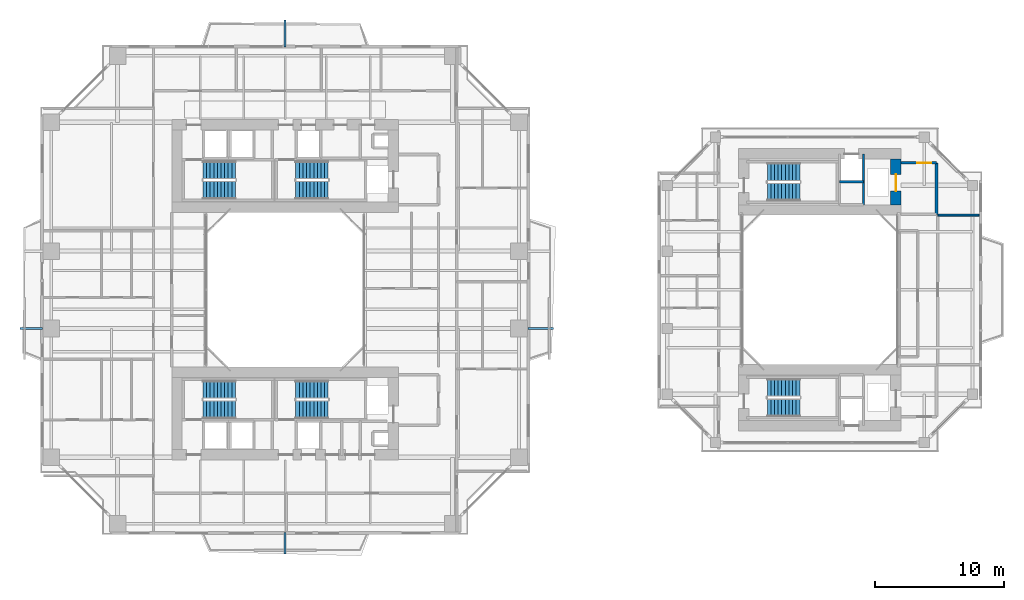
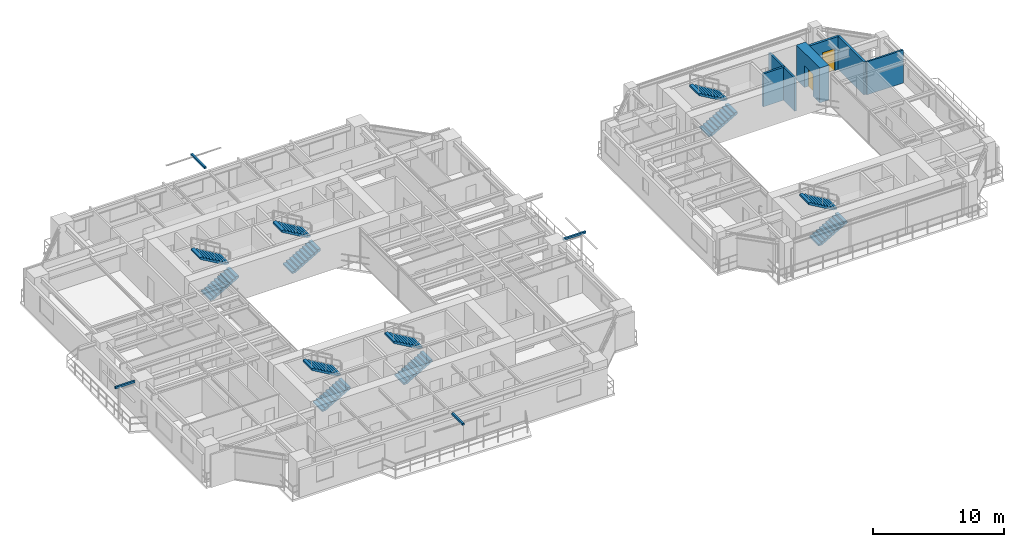
# One storey, part 18 of 23: 12 stair flights, 6 walls, 4 discrete accessories, 2 doors, 2 openings, 6 elements without a shape of their own.
"""IFC4 building model written with IfcOpenShell, lengths in metres."""

from ifc_helpers import new_model, si_unit, direction, frame, frame_2d, origin, origin_2d, place, context, subcontext, project, spatial, polyline, rectangle, outline, extrude, source, transform, mapped, material, layer, layer_set, type_object, element, fill, aggregate, save


model = new_model("IFC4")

# Units and contexts
model_context = context("Model", 3, precision=1e-05, world=origin(), true_north=direction((0.0, 1.0)))
body_context = subcontext(model_context, "Body", "Model", "MODEL_VIEW")
ifc_project = project(units=[si_unit("LENGTHUNIT", "METRE"), si_unit("AREAUNIT", "SQUARE_METRE"), si_unit("VOLUMEUNIT", "CUBIC_METRE"), si_unit("PLANEANGLEUNIT", "RADIAN"), si_unit("MASSUNIT", "GRAM", prefix="KILO"), si_unit("THERMODYNAMICTEMPERATUREUNIT", "KELVIN"), si_unit("POWERUNIT", "WATT")], contexts=[model_context])

# Site, building, storey
site_placement = place(None, origin())
site = spatial("IfcSite", under=ifc_project, at=site_placement, CompositionType="ELEMENT")
building_placement = place(site_placement, origin())
building = spatial("IfcBuilding", under=site, at=building_placement, Name="Qiaomeng Ring Towers", CompositionType="ELEMENT")
storey_placement = place(building_placement, frame((0.0, 0.0, 76.25)))
storey = spatial("IfcBuildingStorey", under=building, at=storey_placement, Name="L21", CompositionType="ELEMENT", Elevation=76.25)

# Wall
ifc_material_1 = material(Name="Autoclaved aerated concrete block", Category="concrete")
ifc_layer_1 = layer(ifc_material_1, 0.199951171875, Name="Autoclaved aerated concrete block")
ifc_layer_set_1 = layer_set([ifc_layer_1], Name="Autoclaved aerated concrete block")
wall_type_1 = type_object("IfcWallType", Name="ARC-WL-PW1", PredefinedType="PARTITIONING", material=ifc_layer_set_1)
wall_1_placement = place(storey_placement, frame((69.550048828125, 28.85009765625, 0.0), z_axis=(0.0, 0.0, 1.0), x_axis=(0.0, 1.0, 0.0)))
element("IfcWall", 1, at=wall_1_placement, inside=storey, type_object=wall_type_1, Name="L21 Interior Wall PW1", PredefinedType="PARTITIONING", context=body_context, shape_type="SweptSolid", body=[
    extrude(rectangle(XDim=4.0, YDim=0.199951171875, at=frame_2d((2.0, 0.0))), origin(), (0.0, 0.0, 1.0), 3.070068359375),
])

# Wall, opening, door
wall_2_placement = place(storey_placement, frame((66.800048828125, 32.85009765625, 0.0), z_axis=(0.0, 0.0, 1.0), x_axis=(1.0, 0.0, 0.0)))
wall_2 = element("IfcWall", 2, at=wall_2_placement, inside=storey, type_object=wall_type_1, Name="L21 Interior Wall PW1", PredefinedType="PARTITIONING", context=body_context, shape_type="SweptSolid", body=[
    extrude(rectangle(XDim=2.75, YDim=0.199951171875, at=frame_2d((1.375, 0.0))), origin(), (0.0, 0.0, 1.0), 3.070068359375),
])
opening_1_placement = place(wall_2_placement, frame((1.25, 0.0, 0.0)))
opening_1 = element("IfcOpeningElement", 3, at=opening_1_placement, cuts=wall_2, Name="Opening FD3", PredefinedType="OPENING", context=body_context, shape_type="SweptSolid", body=[
    extrude(rectangle(XDim=1.10009765625, YDim=2.050048828125, at=frame_2d((0.550048828125, 1.02490234375))), frame((0.0, 0.10986328125, 0.0), z_axis=(0.0, -1.0, 0.0), x_axis=(1.0, 0.0, 0.0)), (0.0, 0.0, 1.0), 0.219970703125),
])
ifc_material_2 = material(Name="Galvanised steel", Category="steel")
door_type_1 = type_object("IfcDoorType", Name="ARC-DR-FD3", OperationType="NOTDEFINED", PredefinedType="DOOR", material=ifc_material_2)
shared_shape_1 = source(origin(), body_context, "Body", "SweptSolid", [
    extrude(rectangle(XDim=1.10009765625, YDim=2.050048828125, at=frame_2d((0.550048828125, 1.02490234375))), frame((0.0, 0.02490234375, 0.0), z_axis=(0.0, -1.0, 0.0), x_axis=(1.0, 0.0, 0.0)), (0.0, 0.0, 1.0), 0.050048828125),
])
door_1_placement = place(opening_1_placement, origin())
door_1 = element("IfcDoor", 4, at=door_1_placement, inside=storey, type_object=door_type_1, Name="L21 Door FD3", OperationType="SINGLE_SWING_RIGHT", OverallHeight=2.050048828125, OverallWidth=1.10009765625, PredefinedType="DOOR", context=body_context, shape_type="MappedRepresentation", body=[
    mapped(shared_shape_1, transform((0.0, 0.0, 0.0), x_axis=(1.0, 0.0, 0.0), y_axis=(0.0, 1.0, 0.0), z_axis=(0.0, 0.0, 1.0), scale=1.0)),
])
fill(opening_1, door_1)

# Walls
ifc_material_3 = material(Name="Gypsum fireboard steel-stud partition", Category="steel")
ifc_layer_2 = layer(ifc_material_3, 0.14990234375, Name="Gypsum fireboard steel-stud partition")
ifc_layer_set_2 = layer_set([ifc_layer_2], Name="Gypsum fireboard steel-stud partition")
wall_type_2 = type_object("IfcWallType", Name="ARC-WL-PW3", PredefinedType="PARTITIONING", material=ifc_layer_set_2)
wall_3_placement = place(storey_placement, frame((69.64990234375, 28.800048828125, 0.0), z_axis=(0.0, 0.0, 1.0), x_axis=(1.0, 0.0, 0.0)))
element("IfcWall", 5, at=wall_3_placement, inside=storey, type_object=wall_type_2, Name="L21 Interior Wall PW3", PredefinedType="PARTITIONING", context=body_context, shape_type="SweptSolid", body=[
    extrude(rectangle(XDim=3.2001953125, YDim=0.14990234375, at=frame_2d((1.60009765625, 0.0))), origin(), (0.0, 0.0, 1.0), 3.070068359375),
])
ifc_material_4 = material(Name="Concrete C40", Category="concrete")
ifc_layer_3 = layer(ifc_material_4, 0.199951171875, Name="Concrete C40")
ifc_layer_set_3 = layer_set([ifc_layer_3], Name="Concrete C40")
wall_type_3 = type_object("IfcWallType", Name="STR-WL-STSHAFT", PredefinedType="SHEAR", material=ifc_layer_set_3)
wall_4_placement = place(storey_placement, frame((63.8798828125, 29.60009765625, 0.0), z_axis=(0.0, 0.0, 1.0), x_axis=(0.0, 1.0, 0.0)))
element("IfcWall", 6, at=wall_4_placement, inside=storey, type_object=wall_type_3, Name="L21 Companion Lift Shaft East Wall N", PredefinedType="SHEAR", context=body_context, shape_type="SweptSolid", body=[
    extrude(rectangle(XDim=3.949951171875, YDim=0.179931640625, at=frame_2d((1.97509765625, 0.0))), origin(), (0.0, 0.0, 1.0), 3.070068359375),
])
wall_5_placement = place(storey_placement, frame((62.02001953125, 31.3798828125, 0.0), z_axis=(0.0, 0.0, 1.0), x_axis=(1.0, 0.0, 0.0)))
element("IfcWall", 7, at=wall_5_placement, inside=storey, type_object=wall_type_3, Name="L21 Companion Lift Shaft Divider Wall N", PredefinedType="SHEAR", context=body_context, shape_type="SweptSolid", body=[
    extrude(rectangle(XDim=1.85986328125, YDim=0.179931640625, at=frame_2d((0.929931640625, 0.0))), origin(), (0.0, 0.0, 1.0), 3.070068359375),
])

# Wall, opening, door
ifc_material_5 = material(Name="Concrete C60", Category="concrete")
ifc_layer_4 = layer(ifc_material_5, 0.800048828125, Name="Concrete C60")
ifc_layer_set_4 = layer_set([ifc_layer_4], Name="Concrete C60")
wall_type_4 = type_object("IfcWallType", Name="STR-WL-SW1", PredefinedType="SHEAR", material=ifc_layer_set_4)
wall_6_placement = place(storey_placement, frame((66.39990234375, 29.60009765625, 0.0), z_axis=(0.0, 0.0, 1.0), x_axis=(0.0, 1.0, 0.0)))
wall_6 = element("IfcWall", 8, at=wall_6_placement, inside=storey, type_object=wall_type_4, Name="L21 T2NC east core shear wall", PredefinedType="SHEAR", context=body_context, shape_type="SweptSolid", body=[
    extrude(rectangle(XDim=3.5498046875, YDim=0.800048828125, at=frame_2d((1.77490234375, 0.0))), origin(), (0.0, 0.0, 1.0), 3.25),
])
opening_2_placement = place(wall_6_placement, frame((1.050048828125, 0.0, 0.0)))
opening_2 = element("IfcOpeningElement", 9, at=opening_2_placement, cuts=wall_6, Name="Opening LD2", PredefinedType="OPENING", context=body_context, shape_type="SweptSolid", body=[
    extrude(rectangle(XDim=1.300048828125, YDim=2.050048828125, at=frame_2d((0.64990234375, 1.02490234375))), frame((0.0, 0.409912109375, 0.0), z_axis=(0.0, -1.0, 0.0), x_axis=(1.0, 0.0, 0.0)), (0.0, 0.0, 1.0), 0.820068359375),
])
ifc_material_6 = material(Name="Stainless steel 316", Category="steel")
door_type_2 = type_object("IfcDoorType", Name="ARC-DR-LD2", OperationType="NOTDEFINED", PredefinedType="DOOR", material=ifc_material_6)
shared_shape_2 = source(origin(), body_context, "Body", "SweptSolid", [
    extrude(rectangle(XDim=1.300048828125, YDim=2.050048828125, at=frame_2d((0.64990234375, 1.02490234375))), frame((0.0, 0.02490234375, 0.0), z_axis=(0.0, -1.0, 0.0), x_axis=(1.0, 0.0, 0.0)), (0.0, 0.0, 1.0), 0.050048828125),
])
door_2_placement = place(opening_2_placement, origin())
door_2 = element("IfcDoor", 10, at=door_2_placement, inside=storey, type_object=door_type_2, Name="L21 Firefighting Lift FL3 Landing Door", OperationType="SLIDING_TO_LEFT", OverallHeight=2.050048828125, OverallWidth=1.300048828125, PredefinedType="DOOR", context=body_context, shape_type="MappedRepresentation", body=[
    mapped(shared_shape_2, transform((0.0, 0.0, 0.0), x_axis=(1.0, 0.0, 0.0), y_axis=(0.0, 1.0, 0.0), z_axis=(0.0, 0.0, 1.0), scale=1.0)),
])
fill(opening_2, door_2)

# Stair, stair flights
ifc_material_7 = material(Name="Precast concrete C40", Category="concrete")
stair_type = type_object("IfcStairType", Name="ARC-ST-325", PredefinedType="HALF_TURN_STAIR", material=ifc_material_7)
stair_1_placement = place(storey_placement, origin())
stair_1 = element("IfcStair", 11, at=stair_1_placement, inside=storey, type_object=stair_type, Name="L21 Tower 1 North Stair 1", PredefinedType="HALF_TURN_STAIR")
stair_flight_type = type_object("IfcStairFlightType", Name="ARC-ST-325-FL", PredefinedType="STRAIGHT", material=ifc_material_7)
shared_shape_3 = source(origin(), body_context, "Body", "SweptSolid", [
    extrude(outline(polyline([(0.0, 0.0), (0.0, 0.16259765625), (0.280029296875, 0.16259765625), (0.280029296875, 0.324951171875), (0.56005859375, 0.324951171875), (0.56005859375, 0.487548828125), (0.840087890625, 0.487548828125), (0.840087890625, 0.64990234375), (1.1201171875, 0.64990234375), (1.1201171875, 0.8125), (1.39990234375, 0.8125), (1.39990234375, 0.97509765625), (1.679931640625, 0.97509765625), (1.679931640625, 1.137451171875), (1.9599609375, 1.137451171875), (1.9599609375, 1.300048828125), (2.239990234375, 1.300048828125), (2.239990234375, 1.46240234375), (2.52001953125, 1.46240234375), (2.52001953125, 1.625), (2.52001953125, 1.2890625), (0.298583984375, 0.0), (0.0, 0.0)])), frame((0.0, 0.699951171875, 0.0), z_axis=(0.0, -1.0, 0.0), x_axis=(1.0, 0.0, 0.0)), (0.0, 0.0, 1.0), 1.39990234375),
])
stair_flight_1_placement = place(storey_placement, frame((12.6201171875, 30.75, 0.0), z_axis=(0.0, 0.0, 1.0), x_axis=(1.0, 0.0, 0.0)))
stair_flight_1 = element("IfcStairFlight", 12, at=stair_flight_1_placement, type_object=stair_flight_type, Name="ST1 flight 1", NumberOfRisers=10, NumberOfTreads=9, PredefinedType="STRAIGHT", RiserHeight=0.1625, TreadLength=0.28, context=body_context, shape_type="MappedRepresentation", body=[
    mapped(shared_shape_3, transform((0.0, 0.0, 0.0), x_axis=(1.0, 0.0, 0.0), y_axis=(0.0, 1.0, 0.0), z_axis=(0.0, 0.0, 1.0), scale=1.0)),
])
stair_flight_2_placement = place(storey_placement, frame((15.139892578125, 32.2900390625, 1.625), z_axis=(0.0, 0.0, 1.0), x_axis=(-1.0, 0.0, 0.0)))
stair_flight_2 = element("IfcStairFlight", 13, at=stair_flight_2_placement, type_object=stair_flight_type, Name="ST1 flight 2", NumberOfRisers=10, NumberOfTreads=9, PredefinedType="STRAIGHT", RiserHeight=0.1625, TreadLength=0.28, context=body_context, shape_type="MappedRepresentation", body=[
    mapped(shared_shape_3, transform((0.0, 0.0, 0.0), x_axis=(1.0, 0.0, 0.0), y_axis=(0.0, 1.0, 0.0), z_axis=(0.0, 0.0, 1.0), scale=1.0)),
])
aggregate(stair_1, [stair_flight_1, stair_flight_2])

stair_2_placement = place(storey_placement, origin())
stair_2 = element("IfcStair", 14, at=stair_2_placement, inside=storey, type_object=stair_type, Name="L21 Tower 1 North Stair 2", PredefinedType="HALF_TURN_STAIR")
stair_flight_3_placement = place(storey_placement, frame((19.820068359375, 30.75, 0.0), z_axis=(0.0, 0.0, 1.0), x_axis=(1.0, 0.0, 0.0)))
stair_flight_3 = element("IfcStairFlight", 15, at=stair_flight_3_placement, type_object=stair_flight_type, Name="ST2 flight 1", NumberOfRisers=10, NumberOfTreads=9, PredefinedType="STRAIGHT", RiserHeight=0.1625, TreadLength=0.28, context=body_context, shape_type="MappedRepresentation", body=[
    mapped(shared_shape_3, transform((0.0, 0.0, 0.0), x_axis=(1.0, 0.0, 0.0), y_axis=(0.0, 1.0, 0.0), z_axis=(0.0, 0.0, 1.0), scale=1.0)),
])
stair_flight_4_placement = place(storey_placement, frame((22.340087890625, 32.2900390625, 1.625), z_axis=(0.0, 0.0, 1.0), x_axis=(-1.0, 0.0, 0.0)))
stair_flight_4 = element("IfcStairFlight", 16, at=stair_flight_4_placement, type_object=stair_flight_type, Name="ST2 flight 2", NumberOfRisers=10, NumberOfTreads=9, PredefinedType="STRAIGHT", RiserHeight=0.1625, TreadLength=0.28, context=body_context, shape_type="MappedRepresentation", body=[
    mapped(shared_shape_3, transform((0.0, 0.0, 0.0), x_axis=(1.0, 0.0, 0.0), y_axis=(0.0, 1.0, 0.0), z_axis=(0.0, 0.0, 1.0), scale=1.0)),
])
aggregate(stair_2, [stair_flight_3, stair_flight_4])

stair_3_placement = place(storey_placement, origin())
stair_3 = element("IfcStair", 17, at=stair_3_placement, inside=storey, type_object=stair_type, Name="L21 Tower 1 South Stair 3", PredefinedType="HALF_TURN_STAIR")
stair_flight_5_placement = place(storey_placement, frame((12.6201171875, 13.7099609375, 0.0), z_axis=(0.0, 0.0, 1.0), x_axis=(1.0, 0.0, 0.0)))
stair_flight_5 = element("IfcStairFlight", 18, at=stair_flight_5_placement, type_object=stair_flight_type, Name="ST3 flight 1", NumberOfRisers=10, NumberOfTreads=9, PredefinedType="STRAIGHT", RiserHeight=0.1625, TreadLength=0.28, context=body_context, shape_type="MappedRepresentation", body=[
    mapped(shared_shape_3, transform((0.0, 0.0, 0.0), x_axis=(1.0, 0.0, 0.0), y_axis=(0.0, 1.0, 0.0), z_axis=(0.0, 0.0, 1.0), scale=1.0)),
])
stair_flight_6_placement = place(storey_placement, frame((15.139892578125, 15.25, 1.625), z_axis=(0.0, 0.0, 1.0), x_axis=(-1.0, 0.0, 0.0)))
stair_flight_6 = element("IfcStairFlight", 19, at=stair_flight_6_placement, type_object=stair_flight_type, Name="ST3 flight 2", NumberOfRisers=10, NumberOfTreads=9, PredefinedType="STRAIGHT", RiserHeight=0.1625, TreadLength=0.28, context=body_context, shape_type="MappedRepresentation", body=[
    mapped(shared_shape_3, transform((0.0, 0.0, 0.0), x_axis=(1.0, 0.0, 0.0), y_axis=(0.0, 1.0, 0.0), z_axis=(0.0, 0.0, 1.0), scale=1.0)),
])
aggregate(stair_3, [stair_flight_5, stair_flight_6])

stair_4_placement = place(storey_placement, origin())
stair_4 = element("IfcStair", 20, at=stair_4_placement, inside=storey, type_object=stair_type, Name="L21 Tower 1 South Stair 4", PredefinedType="HALF_TURN_STAIR")
stair_flight_7_placement = place(storey_placement, frame((19.820068359375, 13.7099609375, 0.0), z_axis=(0.0, 0.0, 1.0), x_axis=(1.0, 0.0, 0.0)))
stair_flight_7 = element("IfcStairFlight", 21, at=stair_flight_7_placement, type_object=stair_flight_type, Name="ST4 flight 1", NumberOfRisers=10, NumberOfTreads=9, PredefinedType="STRAIGHT", RiserHeight=0.1625, TreadLength=0.28, context=body_context, shape_type="MappedRepresentation", body=[
    mapped(shared_shape_3, transform((0.0, 0.0, 0.0), x_axis=(1.0, 0.0, 0.0), y_axis=(0.0, 1.0, 0.0), z_axis=(0.0, 0.0, 1.0), scale=1.0)),
])
stair_flight_8_placement = place(storey_placement, frame((22.340087890625, 15.25, 1.625), z_axis=(0.0, 0.0, 1.0), x_axis=(-1.0, 0.0, 0.0)))
stair_flight_8 = element("IfcStairFlight", 22, at=stair_flight_8_placement, type_object=stair_flight_type, Name="ST4 flight 2", NumberOfRisers=10, NumberOfTreads=9, PredefinedType="STRAIGHT", RiserHeight=0.1625, TreadLength=0.28, context=body_context, shape_type="MappedRepresentation", body=[
    mapped(shared_shape_3, transform((0.0, 0.0, 0.0), x_axis=(1.0, 0.0, 0.0), y_axis=(0.0, 1.0, 0.0), z_axis=(0.0, 0.0, 1.0), scale=1.0)),
])
aggregate(stair_4, [stair_flight_7, stair_flight_8])

stair_5_placement = place(storey_placement, origin())
stair_5 = element("IfcStair", 23, at=stair_5_placement, inside=storey, type_object=stair_type, Name="L21 Companion North Stair 5", PredefinedType="HALF_TURN_STAIR")
stair_flight_9_placement = place(storey_placement, frame((56.419921875, 30.60009765625, 0.0), z_axis=(0.0, 0.0, 1.0), x_axis=(1.0, 0.0, 0.0)))
stair_flight_9 = element("IfcStairFlight", 24, at=stair_flight_9_placement, type_object=stair_flight_type, Name="ST5 flight 1", NumberOfRisers=10, NumberOfTreads=9, PredefinedType="STRAIGHT", RiserHeight=0.1625, TreadLength=0.28, context=body_context, shape_type="MappedRepresentation", body=[
    mapped(shared_shape_3, transform((0.0, 0.0, 0.0), x_axis=(1.0, 0.0, 0.0), y_axis=(0.0, 1.0, 0.0), z_axis=(0.0, 0.0, 1.0), scale=1.0)),
])
stair_flight_10_placement = place(storey_placement, frame((58.93994140625, 32.139892578125, 1.625), z_axis=(0.0, 0.0, 1.0), x_axis=(-1.0, 0.0, 0.0)))
stair_flight_10 = element("IfcStairFlight", 25, at=stair_flight_10_placement, type_object=stair_flight_type, Name="ST5 flight 2", NumberOfRisers=10, NumberOfTreads=9, PredefinedType="STRAIGHT", RiserHeight=0.1625, TreadLength=0.28, context=body_context, shape_type="MappedRepresentation", body=[
    mapped(shared_shape_3, transform((0.0, 0.0, 0.0), x_axis=(1.0, 0.0, 0.0), y_axis=(0.0, 1.0, 0.0), z_axis=(0.0, 0.0, 1.0), scale=1.0)),
])
aggregate(stair_5, [stair_flight_9, stair_flight_10])

stair_6_placement = place(storey_placement, origin())
stair_6 = element("IfcStair", 26, at=stair_6_placement, inside=storey, type_object=stair_type, Name="L21 Companion South Stair 6", PredefinedType="HALF_TURN_STAIR")
stair_flight_11_placement = place(storey_placement, frame((56.419921875, 13.860107421875, 0.0), z_axis=(0.0, 0.0, 1.0), x_axis=(1.0, 0.0, 0.0)))
stair_flight_11 = element("IfcStairFlight", 27, at=stair_flight_11_placement, type_object=stair_flight_type, Name="ST6 flight 1", NumberOfRisers=10, NumberOfTreads=9, PredefinedType="STRAIGHT", RiserHeight=0.1625, TreadLength=0.28, context=body_context, shape_type="MappedRepresentation", body=[
    mapped(shared_shape_3, transform((0.0, 0.0, 0.0), x_axis=(1.0, 0.0, 0.0), y_axis=(0.0, 1.0, 0.0), z_axis=(0.0, 0.0, 1.0), scale=1.0)),
])
stair_flight_12_placement = place(storey_placement, frame((58.93994140625, 15.39990234375, 1.625), z_axis=(0.0, 0.0, 1.0), x_axis=(-1.0, 0.0, 0.0)))
stair_flight_12 = element("IfcStairFlight", 28, at=stair_flight_12_placement, type_object=stair_flight_type, Name="ST6 flight 2", NumberOfRisers=10, NumberOfTreads=9, PredefinedType="STRAIGHT", RiserHeight=0.1625, TreadLength=0.28, context=body_context, shape_type="MappedRepresentation", body=[
    mapped(shared_shape_3, transform((0.0, 0.0, 0.0), x_axis=(1.0, 0.0, 0.0), y_axis=(0.0, 1.0, 0.0), z_axis=(0.0, 0.0, 1.0), scale=1.0)),
])
aggregate(stair_6, [stair_flight_11, stair_flight_12])

# Discrete accessories
discrete_accessory_type = type_object("IfcDiscreteAccessoryType", Name="ARC-ACC-BRACKET", PredefinedType="BRACKET", material=ifc_material_6)
shared_shape_4 = source(origin(), body_context, "Body", "SweptSolid", [
    extrude(rectangle(XDim=0.159912109375, YDim=1.64990234375, at=origin_2d()), origin(), (0.0, 0.0, 1.0), 0.179931640625),
])
discrete_accessory_1_placement = place(storey_placement, frame((19.0, 3.324951171875, 2.89990234375), z_axis=(0.0, 0.0, 1.0), x_axis=(1.0, 0.0, 0.0)))
element("IfcDiscreteAccessory", 29, at=discrete_accessory_1_placement, inside=storey, type_object=discrete_accessory_type, Name="L21 Stainless Outer-Skin Tie Bracket S", PredefinedType="BRACKET", context=body_context, shape_type="MappedRepresentation", body=[
    mapped(shared_shape_4, transform((0.0, 0.0, 0.0), x_axis=(1.0, 0.0, 0.0), y_axis=(0.0, 1.0, 0.0), z_axis=(0.0, 0.0, 1.0), scale=1.0)),
])
shared_shape_5 = source(origin(), body_context, "Body", "SweptSolid", [
    extrude(rectangle(XDim=1.989990234375, YDim=0.159912109375, at=origin_2d()), origin(), (0.0, 0.0, 1.0), 0.179931640625),
])
discrete_accessory_2_placement = place(storey_placement, frame((38.844970703125, 20.0, 2.89990234375), z_axis=(0.0, 0.0, 1.0), x_axis=(1.0, 0.0, 0.0)))
element("IfcDiscreteAccessory", 30, at=discrete_accessory_2_placement, inside=storey, type_object=discrete_accessory_type, Name="L21 Stainless Outer-Skin Tie Bracket E", PredefinedType="BRACKET", context=body_context, shape_type="MappedRepresentation", body=[
    mapped(shared_shape_5, transform((0.0, 0.0, 0.0), x_axis=(1.0, 0.0, 0.0), y_axis=(0.0, 1.0, 0.0), z_axis=(0.0, 0.0, 1.0), scale=1.0)),
])
shared_shape_6 = source(origin(), body_context, "Body", "SweptSolid", [
    extrude(rectangle(XDim=0.159912109375, YDim=2.090087890625, at=origin_2d()), origin(), (0.0, 0.0, 1.0), 0.179931640625),
])
discrete_accessory_3_placement = place(storey_placement, frame((19.0, 42.89501953125, 2.89990234375), z_axis=(0.0, 0.0, 1.0), x_axis=(1.0, 0.0, 0.0)))
element("IfcDiscreteAccessory", 31, at=discrete_accessory_3_placement, inside=storey, type_object=discrete_accessory_type, Name="L21 Stainless Outer-Skin Tie Bracket N", PredefinedType="BRACKET", context=body_context, shape_type="MappedRepresentation", body=[
    mapped(shared_shape_6, transform((0.0, 0.0, 0.0), x_axis=(1.0, 0.0, 0.0), y_axis=(0.0, 1.0, 0.0), z_axis=(0.0, 0.0, 1.0), scale=1.0)),
])
shared_shape_7 = source(origin(), body_context, "Body", "SweptSolid", [
    extrude(rectangle(XDim=1.72998046875, YDim=0.159912109375, at=origin_2d()), origin(), (0.0, 0.0, 1.0), 0.179931640625),
])
discrete_accessory_4_placement = place(storey_placement, frame((-0.715087890625, 20.0, 2.89990234375), z_axis=(0.0, 0.0, 1.0), x_axis=(1.0, 0.0, 0.0)))
element("IfcDiscreteAccessory", 32, at=discrete_accessory_4_placement, inside=storey, type_object=discrete_accessory_type, Name="L21 Stainless Outer-Skin Tie Bracket W", PredefinedType="BRACKET", context=body_context, shape_type="MappedRepresentation", body=[
    mapped(shared_shape_7, transform((0.0, 0.0, 0.0), x_axis=(1.0, 0.0, 0.0), y_axis=(0.0, 1.0, 0.0), z_axis=(0.0, 0.0, 1.0), scale=1.0)),
])

save(model, "model.ifc")
